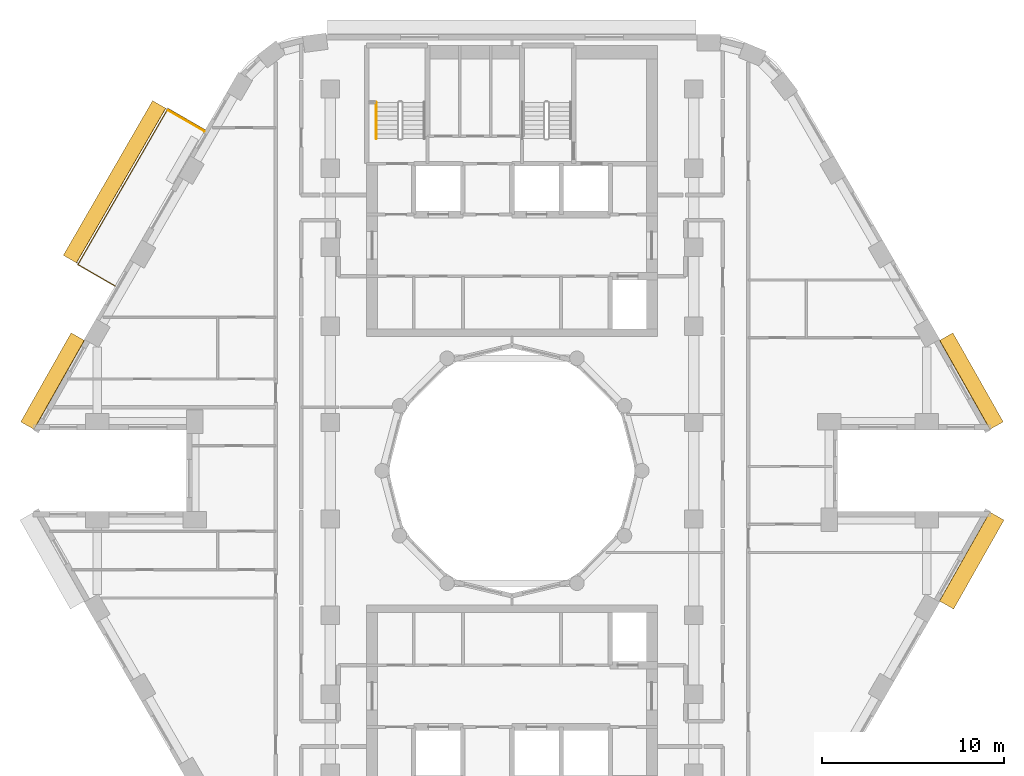
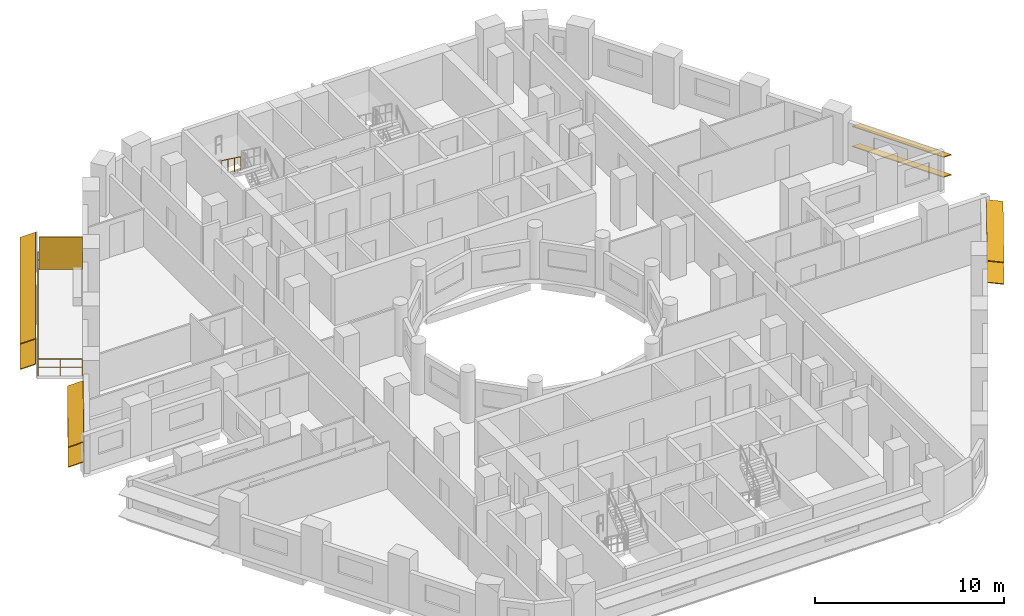
# One storey, part 12 of 13: 9 shading devices, 2 railings.
"""IFC4 building model written with IfcOpenShell, lengths in metres."""

import ifcopenshell
import ifcopenshell.guid

model = None  # the IFC model being written
_history = None  # IfcOwnerHistory: only IFC2X3 demands one
_inside = {}  # id of a spatial element -> (the spatial element, [elements in it])
_under = {}  # id of a project, library or spatial element -> (it, [spatial elements below it])
_declared = {}  # id of a project -> (the project, [libraries it declares])
_typed = {}  # id of a type object -> (the type object, [elements of that type])
_made_of = {}  # id of a material, layer set ... -> (it, [elements and type objects made of it])


def new_model(schema):
    """Start an empty IFC model of exactly this schema.

    Asked for "IFC4X3", IfcOpenShell would pick the latest addendum, in which some entities
    have other attributes; the version numbers below select the first issue.
    IFC2X3 requires an IfcOwnerHistory on every rooted entity: one is made here for all.
    """
    global model, _history
    if schema == "IFC4X3":
        model = ifcopenshell.file(schema_version=(4, 3, 0, 0))
    else:
        model = ifcopenshell.file(schema=schema)
    _inside.clear()
    _under.clear()
    _declared.clear()
    _typed.clear()
    _made_of.clear()
    _history = None
    if model.schema == "IFC2X3":
        org = make("IfcOrganization", Name="unknown")
        user = make(
            "IfcPersonAndOrganization",
            ThePerson=make("IfcPerson", FamilyName="unknown"),
            TheOrganization=org,
        )
        app = make(
            "IfcApplication",
            ApplicationDeveloper=org,
            Version="unknown",
            ApplicationFullName="unknown",
            ApplicationIdentifier="unknown",
        )
        _history = make(
            "IfcOwnerHistory",
            OwningUser=user,
            OwningApplication=app,
            ChangeAction="ADDED",
            CreationDate=0,
        )
    return model


def make(cls, **values):
    """One entity of the class cls with the attributes given. An attribute that is None is left unset."""
    return model.create_entity(
        cls, **{name: value for name, value in values.items() if value is not None}
    )


def rooted(cls, **values):
    """An entity with a GlobalId (a new one), such as an element, a storey or a relation."""
    return make(cls, GlobalId=ifcopenshell.guid.new(), OwnerHistory=_history, **values)


def si_unit(unit_type, name, prefix=None):
    """IfcSIUnit, for example si_unit("LENGTHUNIT", "METRE", prefix="MILLI")."""
    return make("IfcSIUnit", UnitType=unit_type, Prefix=prefix, Name=name)


def assignment(units):
    """IfcUnitAssignment: the units of a project."""
    return None if units is None else make("IfcUnitAssignment", Units=units)


def point(xyz):
    """IfcCartesianPoint."""
    return None if xyz is None else make("IfcCartesianPoint", Coordinates=xyz)


def direction(xyz):
    """IfcDirection."""
    return None if xyz is None else make("IfcDirection", DirectionRatios=xyz)


def frame(location, z_axis=None, x_axis=None):
    """IfcAxis2Placement3D, a coordinate frame: its origin and axes. An axis left out is left unset."""
    return make(
        "IfcAxis2Placement3D",
        Location=point(location),
        Axis=direction(z_axis),
        RefDirection=direction(x_axis),
    )


def frame_2d(location, x_axis=None):
    """IfcAxis2Placement2D, a coordinate frame in the plane: its origin and x axis."""
    return make(
        "IfcAxis2Placement2D", Location=point(location), RefDirection=direction(x_axis)
    )


def origin():
    """The frame at (0, 0, 0) with its axes left unset."""
    return frame((0.0, 0.0, 0.0))


def origin_2d():
    """The frame at (0, 0) in the plane with its x axis left unset."""
    return frame_2d((0.0, 0.0))


def place(relative_to, where):
    """IfcLocalPlacement: puts the frame where relative to a parent placement (None: the world)."""
    return make(
        "IfcLocalPlacement", PlacementRelTo=relative_to, RelativePlacement=where
    )


def context(
    kind, dimensions, precision=None, world=None, true_north=None, identifier=None
):
    """IfcGeometricRepresentationContext, for example the 3D "Model" context."""
    return make(
        "IfcGeometricRepresentationContext",
        ContextIdentifier=identifier,
        ContextType=kind,
        CoordinateSpaceDimension=dimensions,
        Precision=precision,
        WorldCoordinateSystem=world,
        TrueNorth=true_north,
    )


def subcontext(parent, identifier, kind, view, scale=None):
    """IfcGeometricRepresentationSubContext, for example "Body" below "Model"."""
    return make(
        "IfcGeometricRepresentationSubContext",
        ContextIdentifier=identifier,
        ContextType=kind,
        ParentContext=parent,
        TargetScale=scale,
        TargetView=view,
    )


def project(units=None, contexts=None):
    """IfcProject with its units and contexts."""
    return rooted(
        "IfcProject",
        Name="project",
        RepresentationContexts=contexts,
        UnitsInContext=assignment(units),
    )


def spatial(cls, under=None, at=None, **own):
    """A site, building, storey or space (cls), placed at a placement, below another one or the project."""
    s = rooted(cls, ObjectPlacement=at, **own)
    if under is not None:
        _under.setdefault(under.id(), (under, []))[1].append(s)
    return s


def profile(cls, at=None, kind="AREA", **sizes):
    """A parametric profile (cls). Its sizes go by their IFC names, for example OverallWidth=200.0."""
    return make(cls, ProfileType=kind, Position=at, **sizes)


def rectangle(**sizes):
    """IfcRectangleProfileDef."""
    return profile("IfcRectangleProfileDef", **sizes)


def circle(**sizes):
    """IfcCircleProfileDef."""
    return profile("IfcCircleProfileDef", **sizes)


def extrude(swept, where, along, depth):
    """IfcExtrudedAreaSolid: the profile swept, set in the frame where, extruded along a direction by depth."""
    return make(
        "IfcExtrudedAreaSolid",
        SweptArea=swept,
        Position=where,
        ExtrudedDirection=direction(along),
        Depth=depth,
    )


def shape(context_of_items, identifier, shape_type, items):
    """IfcShapeRepresentation: the items that make up one representation, for example the "Body"."""
    return make(
        "IfcShapeRepresentation",
        ContextOfItems=context_of_items,
        RepresentationIdentifier=identifier,
        RepresentationType=shape_type,
        Items=items,
    )


def material(Name=None, Category=None):
    """IfcMaterial."""
    return make("IfcMaterial", Name=Name, Category=Category)


def layer(
    of_material, thickness, ventilated=None, Name=None, Category=None, Priority=None
):
    """IfcMaterialLayer: one layer of a wall or slab, of a material (None: an air gap)."""
    return make(
        "IfcMaterialLayer",
        Material=of_material,
        LayerThickness=thickness,
        IsVentilated=ventilated,
        Name=Name,
        Category=Category,
        Priority=Priority,
    )


def layer_set(layers, Name=None):
    """IfcMaterialLayerSet."""
    return make("IfcMaterialLayerSet", MaterialLayers=layers, LayerSetName=Name)


def material_profile(
    of_material, cross_section, Name=None, Category=None, Priority=None
):
    """IfcMaterialProfile: a cross section and its material."""
    return make(
        "IfcMaterialProfile",
        Name=Name,
        Material=of_material,
        Profile=cross_section,
        Priority=Priority,
        Category=Category,
    )


def profile_set(profiles, Name=None, composite=None):
    """IfcMaterialProfileSet."""
    return make(
        "IfcMaterialProfileSet",
        Name=Name,
        MaterialProfiles=profiles,
        CompositeProfile=composite,
    )


def made_of(thing, what):
    """Note that an element or type object is made of a material, layer set ...; save() writes the relation."""
    if what is not None:
        _made_of.setdefault(what.id(), (what, []))[1].append(thing)
    return thing


def type_object(cls, material=None, **own):
    """A type object (cls), such as IfcWallType, which elements share."""
    return made_of(rooted(cls, **own), material)


def element(
    cls,
    number,
    at=None,
    inside=None,
    cuts=None,
    type_object=None,
    material=None,
    context=None,
    identifier="Body",
    shape_type=None,
    held_by="IfcProductDefinitionShape",
    body=None,
    shapes=None,
    **own,
):
    """One element of the class cls, such as IfcWall. Its Tag is "e" and its number.

    at: its placement. inside: the storey or other place that contains it. cuts: it is an
    opening in that element (IfcRelVoidsElement). A single representation is given by context,
    identifier, shape_type and body (its items); several are given by shapes. held_by: the class
    of the entity that holds the representations. save() writes the other relations.
    """
    e = rooted(cls, Tag="e%d" % number, ObjectPlacement=at, **own)
    if body is not None:
        shapes = [shape(context, identifier, shape_type, body)]
    if shapes is not None:
        e.Representation = make(held_by, Representations=shapes)
    if inside is not None:
        _inside.setdefault(inside.id(), (inside, []))[1].append(e)
    if cuts is not None:
        rooted(
            "IfcRelVoidsElement", RelatingBuildingElement=cuts, RelatedOpeningElement=e
        )
    if type_object is not None:
        _typed.setdefault(type_object.id(), (type_object, []))[1].append(e)
    return made_of(e, material)


def aggregate(whole, parts):
    """IfcRelAggregates: a whole, such as a stair, and the parts it consists of."""
    return rooted("IfcRelAggregates", RelatingObject=whole, RelatedObjects=parts)


def save(model, path):
    """Write the relations noted so far, then the file.

    IfcRelAggregates (storeys below a building ...), IfcRelContainedInSpatialStructure (elements
    in a storey), IfcRelDefinesByType, IfcRelAssociatesMaterial and IfcRelDeclares: one each for
    every whole, place, type object, material and project.
    """
    for whole, parts in _under.values():
        aggregate(whole, parts)
    for where, things in _inside.values():
        rooted(
            "IfcRelContainedInSpatialStructure",
            RelatedElements=things,
            RelatingStructure=where,
        )
    for kind, things in _typed.values():
        rooted("IfcRelDefinesByType", RelatedObjects=things, RelatingType=kind)
    for what, things in _made_of.values():
        rooted("IfcRelAssociatesMaterial", RelatedObjects=things, RelatingMaterial=what)
    for by, libraries in _declared.values():
        rooted("IfcRelDeclares", RelatingContext=by, RelatedDefinitions=libraries)
    model.write(path)


model = new_model("IFC4")

# Units and contexts
model_context = context("Model", 3, precision=1e-05, world=origin(), true_north=direction((0.0, 1.0)))
body_context = subcontext(model_context, "Body", "Model", "MODEL_VIEW")
ifc_project = project(units=[si_unit("LENGTHUNIT", "METRE"), si_unit("AREAUNIT", "SQUARE_METRE"), si_unit("VOLUMEUNIT", "CUBIC_METRE"), si_unit("PLANEANGLEUNIT", "RADIAN"), si_unit("MASSUNIT", "GRAM", prefix="KILO")], contexts=[model_context])

# Site, building, storey
site_placement = place(None, origin())
site = spatial("IfcSite", under=ifc_project, at=site_placement, CompositionType="ELEMENT")
building_placement = place(site_placement, origin())
building = spatial("IfcBuilding", under=site, at=building_placement, Name="Nakaniwa Court", CompositionType="ELEMENT")
storey_placement = place(building_placement, frame((0.0, 0.0, 147.0)))
storey = spatial("IfcBuildingStorey", under=building, at=storey_placement, Name="L38", CompositionType="ELEMENT", Elevation=147.0)

# Railing
ifc_material_1 = material(Name="Black powder-coated steel flat bar balustrade S275", Category="steel")
railing_type_1 = type_object("IfcRailingType", Name="Black metal balcony guard 1100", PredefinedType="GUARDRAIL", material=ifc_material_1)
railing_1_placement = place(storey_placement, frame((63.10986328125, 98.745361328125, -0.050048828125)))
element("IfcRailing", 1, at=railing_1_placement, inside=storey, type_object=railing_type_1, Name="L38 balcony guard 01", PredefinedType="GUARDRAIL", context=body_context, shape_type="SweptSolid", body=[
    extrude(circle(Radius=0.02392578125, at=origin_2d()), frame((0.0, 0.0, 1.076171875), z_axis=(-0.866025363618, 0.50000006957, 0.0), x_axis=(-0.50000006957, -0.866025363618, 0.0)), (0.0, 0.0, 1.0), 2.35986328125),
    extrude(circle(Radius=0.02392578125, at=origin_2d()), frame((0.0, 0.0, 0.550048828125), z_axis=(-0.866025363618, 0.50000006957, 0.0), x_axis=(-0.50000006957, -0.866025363618, 0.0)), (0.0, 0.0, 1.0), 2.35986328125),
    extrude(circle(Radius=0.02392578125, at=origin_2d()), frame((-2.043701171875, 1.179931640625, 1.076171875), z_axis=(-0.500009036715, -0.866020186372, 0.0), x_axis=(0.866020186372, -0.500009036715, 0.0)), (0.0, 0.0, 1.0), 9.906005859375),
    extrude(circle(Radius=0.02392578125, at=origin_2d()), frame((-2.043701171875, 1.179931640625, 0.550048828125), z_axis=(-0.500009036715, -0.866020186372, 0.0), x_axis=(0.866020186372, -0.500009036715, 0.0)), (0.0, 0.0, 1.0), 9.906005859375),
    extrude(circle(Radius=0.02392578125, at=origin_2d()), frame((-6.996826171875, -7.39892578125, 1.076171875), z_axis=(0.866025363618, -0.50000006957, 0.0), x_axis=(0.50000006957, 0.866025363618, 0.0)), (0.0, 0.0, 1.0), 2.35986328125),
    extrude(circle(Radius=0.02392578125, at=origin_2d()), frame((-6.996826171875, -7.39892578125, 0.550048828125), z_axis=(0.866025363618, -0.50000006957, 0.0), x_axis=(0.50000006957, 0.866025363618, 0.0)), (0.0, 0.0, 1.0), 2.35986328125),
    extrude(circle(Radius=0.02099609375, at=origin_2d()), origin(), (0.0, 0.0, 1.0), 1.052001953125),
    extrude(circle(Radius=0.02099609375, at=origin_2d()), frame((-1.02197265625, 0.58984375, 0.0)), (0.0, 0.0, 1.0), 1.052001953125),
    extrude(circle(Radius=0.02099609375, at=origin_2d()), frame((-2.043701171875, 1.179931640625, 0.0)), (0.0, 0.0, 1.0), 1.052001953125),
    extrude(circle(Radius=0.02099609375, at=origin_2d()), frame((-2.593994140625, 0.226806640625, 0.0)), (0.0, 0.0, 1.0), 1.052001953125),
    extrude(circle(Radius=0.02099609375, at=origin_2d()), frame((-3.144287109375, -0.7265625, 0.0)), (0.0, 0.0, 1.0), 1.052001953125),
    extrude(circle(Radius=0.02099609375, at=origin_2d()), frame((-3.69482421875, -1.6796875, 0.0)), (0.0, 0.0, 1.0), 1.052001953125),
    extrude(circle(Radius=0.02099609375, at=origin_2d()), frame((-4.2451171875, -2.6328125, 0.0)), (0.0, 0.0, 1.0), 1.052001953125),
    extrude(circle(Radius=0.02099609375, at=origin_2d()), frame((-4.79541015625, -3.586181640625, 0.0)), (0.0, 0.0, 1.0), 1.052001953125),
    extrude(circle(Radius=0.02099609375, at=origin_2d()), frame((-5.345703125, -4.539306640625, 0.0)), (0.0, 0.0, 1.0), 1.052001953125),
    extrude(circle(Radius=0.02099609375, at=origin_2d()), frame((-5.896240234375, -5.492431640625, 0.0)), (0.0, 0.0, 1.0), 1.052001953125),
    extrude(circle(Radius=0.02099609375, at=origin_2d()), frame((-6.446533203125, -6.44580078125, 0.0)), (0.0, 0.0, 1.0), 1.052001953125),
    extrude(circle(Radius=0.02099609375, at=origin_2d()), frame((-6.996826171875, -7.39892578125, 0.0)), (0.0, 0.0, 1.0), 1.052001953125),
    extrude(circle(Radius=0.02099609375, at=origin_2d()), frame((-5.97509765625, -7.98876953125, 0.0)), (0.0, 0.0, 1.0), 1.052001953125),
    extrude(circle(Radius=0.02099609375, at=origin_2d()), frame((-4.953125, -8.578857421875, 0.0)), (0.0, 0.0, 1.0), 1.052001953125),
])

# Shading devices
ifc_material_2 = material(Name="Black powder-coated aluminium slat screen", Category="aluminium")
ifc_layer = layer(ifc_material_2, 0.0400390625)
ifc_layer_set = layer_set([ifc_layer], Name="Black powder-coated aluminium slat screen")
shading_device_type_1 = type_object("IfcShadingDeviceType", Name="Koshi screen black metal", PredefinedType="USERDEFINED", material=ifc_layer_set)
shading_device_placement = place(storey_placement, frame((62.069580078125, 99.253662109375, -0.050048828125), z_axis=(0.0, 0.0, 1.0), x_axis=(-0.500004534492, -0.866022785779, 0.0)))
element("IfcShadingDevice", 2, at=shading_device_placement, inside=storey, type_object=shading_device_type_1, Name="L38 balcony SCREEN 01 W", ObjectType="KOSHI SCREEN", PredefinedType="USERDEFINED", context=body_context, shape_type="SweptSolid", body=[
    extrude(rectangle(XDim=0.0400390625, YDim=2.31005859375, at=origin_2d()), origin(), (0.0, 0.0, 1.0), 2.10009765625),
])
ifc_material_3 = material(Name="Perforated charcoal ceramic louvre blade")
ifc_material_profile = material_profile(ifc_material_3, rectangle(XDim=0.89990234375, YDim=0.050048828125, at=origin_2d()), Name="Perforated ceramic louvre blade")
ifc_profile_set = profile_set([ifc_material_profile], Name="Perforated charcoal ceramic louvre blade")
shading_device_type_2 = type_object("IfcShadingDeviceType", Name="Perforated ceramic louvre blade", PredefinedType="JALOUSIE", material=ifc_profile_set)
for number, where, z_axis, x_axis, name in (
    (3, (60.591064453125, 100.1533203125, 0.5), (-0.500008504283, -0.866020493778, 0.0), (0.800098608937, -0.461947623189, 0.382683432365), "L38 perforated ceramic louvre blade 01 1"),
    (4, (60.591064453125, 100.1533203125, 2.14990234375), (-0.500008504283, -0.866020493778, 0.0), (0.800098608937, -0.461947623189, 0.382683432365), "L38 perforated ceramic louvre blade 01 2"),
):
    element("IfcShadingDevice", number, at=place(storey_placement, frame(where, z_axis=z_axis, x_axis=x_axis)), inside=storey, type_object=shading_device_type_2, Name=name, PredefinedType="JALOUSIE", context=body_context, shape_type="SweptSolid", body=[
        extrude(rectangle(XDim=0.89990234375, YDim=0.050048828125, at=origin_2d()), origin(), (0.0, 0.0, 1.0), 9.825927734375),
    ])
for number, where, z_axis, x_axis, name in (
    (5, (106.662353515625, 82.48046875, 0.550048828125), (-0.49253187421, 0.870294405869, 0.0), (-0.804627241022, -0.455368390728, 0.38107037635), "L38 perforated ceramic louvre blade w02 1"),
    (6, (106.662353515625, 82.48046875, 1.845458984375), (-0.49253187421, 0.870294405869, 0.0), (-0.804627241022, -0.455368390728, 0.38107037635), "L38 perforated ceramic louvre blade w02 2"),
    (7, (56.10888671875, 87.377197265625, 0.550048828125), (-0.49253187421, -0.870294405869, 0.0), (0.804627241022, -0.455368390728, 0.38107037635), "L38 perforated ceramic louvre blade w14 1"),
    (8, (56.10888671875, 87.377197265625, 1.845458984375), (-0.49253187421, -0.870294405869, 0.0), (0.804627241022, -0.455368390728, 0.38107037635), "L38 perforated ceramic louvre blade w14 2"),
    (9, (103.911865234375, 72.611083984375, 0.550048828125), (0.49253187421, 0.870294405869, 0.0), (-0.862649339692, 0.488205247786, 0.132256390257), "L38 perforated ceramic louvre blade w32 1"),
    (10, (103.911865234375, 72.611083984375, 1.955810546875), (0.49253187421, 0.870294405869, 0.0), (-0.862649339692, 0.488205247786, 0.132256390257), "L38 perforated ceramic louvre blade w32 2"),
):
    element("IfcShadingDevice", number, at=place(storey_placement, frame(where, z_axis=z_axis, x_axis=x_axis)), inside=storey, type_object=shading_device_type_2, Name=name, PredefinedType="JALOUSIE", context=body_context, shape_type="SweptSolid", body=[
        extrude(rectangle(XDim=0.89990234375, YDim=0.050048828125, at=origin_2d()), origin(), (0.0, 0.0, 1.0), 5.62646484375),
    ])

# Railing
ifc_material_4 = material(Name="Black powder coated steel handrail", Category="steel")
railing_type_2 = type_object("IfcRailingType", Name="Stair handrail 900", PredefinedType="HANDRAIL", material=ifc_material_4)
railing_2_placement = place(storey_placement, frame((72.52490234375, 100.27490234375, 1.833251953125)))
element("IfcRailing", 11, at=railing_2_placement, inside=storey, type_object=railing_type_2, Name="L38 ST1 stair handrail 2", PredefinedType="HANDRAIL", context=body_context, shape_type="SweptSolid", body=[
    extrude(circle(Radius=0.02392578125, at=origin_2d()), frame((0.0, 0.0, 0.8759765625), z_axis=(0.0, -0.806379959628, 0.591397802423), x_axis=(1.0, 0.0, 0.0)), (0.0, 0.0, 1.0), 2.480224609375),
    extrude(circle(Radius=0.02099609375, at=origin_2d()), origin(), (0.0, 0.0, 1.0), 0.851806640625),
    extrude(circle(Radius=0.02099609375, at=origin_2d()), frame((0.0, -0.666748046875, 0.489013671875)), (0.0, 0.0, 1.0), 0.851806640625),
    extrude(circle(Radius=0.02099609375, at=origin_2d()), frame((0.0, -1.333251953125, 0.977783203125)), (0.0, 0.0, 1.0), 0.851806640625),
    extrude(circle(Radius=0.02099609375, at=origin_2d()), frame((0.0, -2.0, 1.466796875)), (0.0, 0.0, 1.0), 0.851806640625),
])

save(model, "model.ifc")
